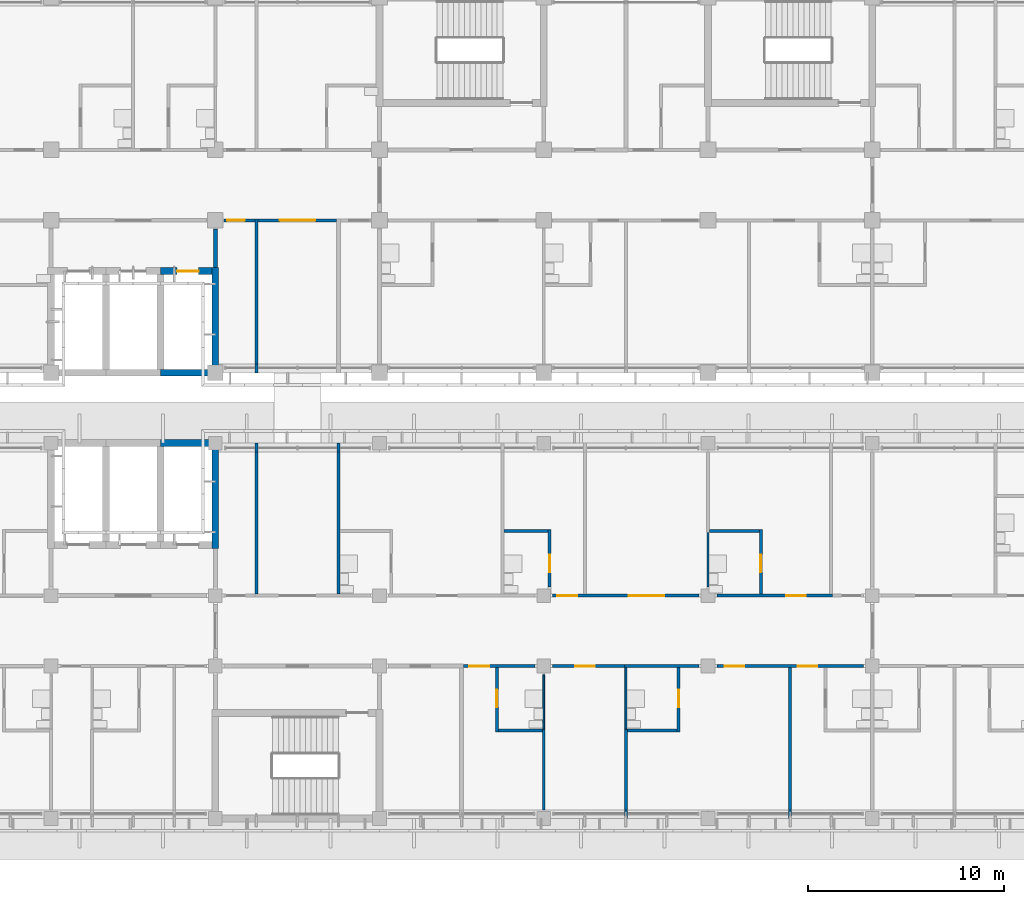
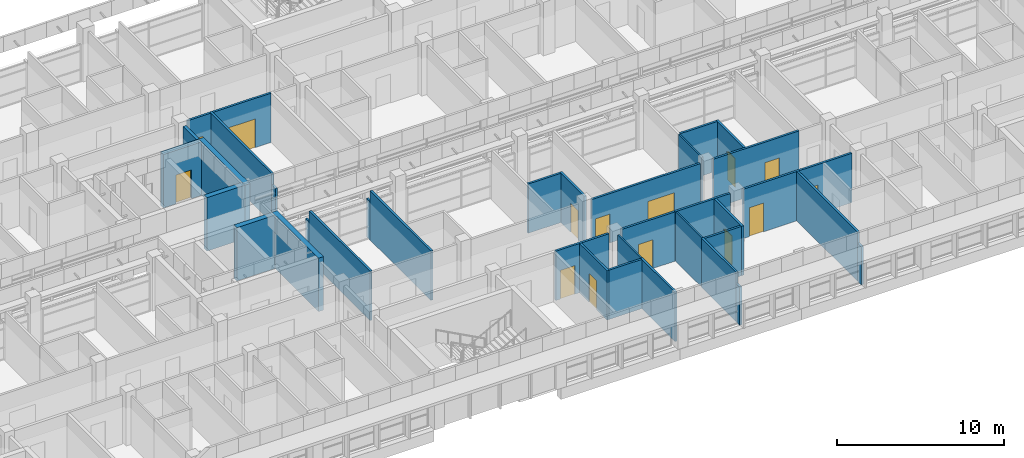
# One storey, part 30 of 71: 36 walls, 14 doors, 14 openings.
"""IFC4 building model written with IfcOpenShell, lengths in metres."""

from ifc_helpers import new_model, si_unit, direction, frame, frame_2d, origin, place, context, subcontext, project, spatial, rectangle, extrude, material, layer, layer_set, type_object, element, fill, save


model = new_model("IFC4")

# Units and contexts
model_context = context("Model", 3, precision=1e-05, world=origin(), true_north=direction((0.0, 1.0)))
body_context = subcontext(model_context, "Body", "Model", "MODEL_VIEW")
ifc_project = project(units=[si_unit("LENGTHUNIT", "METRE"), si_unit("AREAUNIT", "SQUARE_METRE"), si_unit("VOLUMEUNIT", "CUBIC_METRE"), si_unit("PLANEANGLEUNIT", "RADIAN"), si_unit("MASSUNIT", "GRAM", prefix="KILO")], contexts=[model_context])

# Site, building, storey
site_placement = place(None, origin())
site = spatial("IfcSite", under=ifc_project, at=site_placement, CompositionType="ELEMENT")
building_placement = place(site_placement, origin())
building = spatial("IfcBuilding", under=site, at=building_placement, Name="Bougainvillea Quay General Hospital", CompositionType="ELEMENT")
storey_placement = place(building_placement, frame((0.0, 0.0, 24.89990234375)))
storey = spatial("IfcBuildingStorey", under=building, at=storey_placement, Name="L05", CompositionType="ELEMENT", Elevation=24.89990234375)

# Walls
ifc_material_1 = material(Name="Gypsum board partition on steel studs", Category="steel")
ifc_layer_1 = layer(ifc_material_1, 0.10009765625)
ifc_layer_set_1 = layer_set([ifc_layer_1], Name="Gypsum board partition on steel studs")
wall_type_1 = type_object("IfcWallType", Name="Partition 100 Gypsum board partition", PredefinedType="PARTITIONING", material=ifc_layer_set_1)
wall_1_placement = place(storey_placement, frame((92.39990234375, 122.175048828125, 0.0), z_axis=(0.0, 0.0, 1.0), x_axis=(0.0, 1.0, 0.0)))
element("IfcWall", 1, at=wall_1_placement, inside=storey, type_object=wall_type_1, Name="Partition 100 mm", PredefinedType="PARTITIONING", context=body_context, shape_type="SweptSolid", body=[
    extrude(rectangle(XDim=2.77490234375, YDim=0.10009765625, at=frame_2d((1.387451171875, 0.0))), origin(), (0.0, 0.0, 1.0), 3.60009765625),
])
wall_2_placement = place(storey_placement, frame((96.60009765625, 122.175048828125, 0.0), z_axis=(0.0, 0.0, 1.0), x_axis=(0.0, 1.0, 0.0)))
element("IfcWall", 2, at=wall_2_placement, inside=storey, type_object=wall_type_1, Name="Partition 100 mm", PredefinedType="PARTITIONING", context=body_context, shape_type="SweptSolid", body=[
    extrude(rectangle(XDim=3.14990234375, YDim=0.10009765625, at=frame_2d((1.574951171875, 0.0))), origin(), (0.0, 0.0, 1.0), 3.60009765625),
])
wall_3_placement = place(storey_placement, frame((100.800048828125, 129.449951171875, 0.0), z_axis=(0.0, 0.0, 1.0), x_axis=(0.0, 1.0, 0.0)))
element("IfcWall", 3, at=wall_3_placement, inside=storey, type_object=wall_type_1, Name="Partition 100 mm", PredefinedType="PARTITIONING", context=body_context, shape_type="SweptSolid", body=[
    extrude(rectangle(XDim=2.775146484375, YDim=0.10009765625, at=frame_2d((1.3876953125, 0.0))), origin(), (0.0, 0.0, 1.0), 3.60009765625),
])
ifc_material_2 = material(Name="Gypsum board partition on steel studs, insulated", Category="steel")
ifc_layer_2 = layer(ifc_material_2, 0.14990234375)
ifc_layer_set_2 = layer_set([ifc_layer_2], Name="Gypsum board partition on steel studs, insulated")
wall_type_2 = type_object("IfcWallType", Name="Partition 150 Gypsum board partition", PredefinedType="PARTITIONING", material=ifc_layer_set_2)
wall_4_placement = place(storey_placement, frame((105.0, 117.60009765625, 0.0), z_axis=(0.0, 0.0, 1.0), x_axis=(0.0, 1.0, 0.0)))
element("IfcWall", 4, at=wall_4_placement, inside=storey, type_object=wall_type_2, Name="Partition 150 mm", PredefinedType="PARTITIONING", context=body_context, shape_type="SweptSolid", body=[
    extrude(rectangle(XDim=0.449951171875, YDim=0.14990234375, at=frame_2d((0.22509765625, 0.0))), origin(), (0.0, 0.0, 1.0), 2.780029296875),
])
wall_5_placement = place(storey_placement, frame((105.0, 118.050048828125, 0.0), z_axis=(0.0, 0.0, 1.0), x_axis=(0.0, 1.0, 0.0)))
element("IfcWall", 5, at=wall_5_placement, inside=storey, type_object=wall_type_2, Name="Partition 150 mm", PredefinedType="PARTITIONING", context=body_context, shape_type="SweptSolid", body=[
    extrude(rectangle(XDim=7.27490234375, YDim=0.14990234375, at=frame_2d((3.637451171875, 0.0))), origin(), (0.0, 0.0, 1.0), 3.60009765625),
])
wall_6_placement = place(storey_placement, frame((92.39990234375, 118.050048828125, 0.0), z_axis=(0.0, 0.0, 1.0), x_axis=(0.0, 1.0, 0.0)))
element("IfcWall", 6, at=wall_6_placement, inside=storey, type_object=wall_type_2, Name="Partition 150 mm", PredefinedType="PARTITIONING", context=body_context, shape_type="SweptSolid", body=[
    extrude(rectangle(XDim=4.125, YDim=0.14990234375, at=frame_2d((2.0625, 0.0))), origin(), (0.0, 0.0, 1.0), 3.60009765625),
])
wall_7_placement = place(storey_placement, frame((96.60009765625, 117.60009765625, 0.0), z_axis=(0.0, 0.0, 1.0), x_axis=(0.0, 1.0, 0.0)))
element("IfcWall", 7, at=wall_7_placement, inside=storey, type_object=wall_type_2, Name="Partition 150 mm", PredefinedType="PARTITIONING", context=body_context, shape_type="SweptSolid", body=[
    extrude(rectangle(XDim=0.449951171875, YDim=0.14990234375, at=frame_2d((0.22509765625, 0.0))), origin(), (0.0, 0.0, 1.0), 2.780029296875),
])
wall_8_placement = place(storey_placement, frame((96.60009765625, 118.050048828125, 0.0), z_axis=(0.0, 0.0, 1.0), x_axis=(0.0, 1.0, 0.0)))
element("IfcWall", 8, at=wall_8_placement, inside=storey, type_object=wall_type_2, Name="Partition 150 mm", PredefinedType="PARTITIONING", context=body_context, shape_type="SweptSolid", body=[
    extrude(rectangle(XDim=4.125, YDim=0.14990234375, at=frame_2d((2.0625, 0.0))), origin(), (0.0, 0.0, 1.0), 3.60009765625),
])

# Wall, opening, door
wall_9_placement = place(storey_placement, frame((90.0, 122.02490234375, 0.0), z_axis=(0.0, 0.0, 1.0), x_axis=(0.0, 1.0, 0.0)))
wall_9 = element("IfcWall", 9, at=wall_9_placement, inside=storey, type_object=wall_type_2, Name="Partition 150 mm", PredefinedType="PARTITIONING", context=body_context, shape_type="SweptSolid", body=[
    extrude(rectangle(XDim=3.300048828125, YDim=0.14990234375, at=frame_2d((1.64990234375, 0.0))), origin(), (0.0, 0.0, 1.0), 3.60009765625),
])
opening_1_placement = place(wall_9_placement, frame((1.27490234375, 0.0, 0.0)))
opening_1 = element("IfcOpeningElement", 10, at=opening_1_placement, cuts=wall_9, Name="Opening L05.106", PredefinedType="OPENING", context=body_context, shape_type="SweptSolid", body=[
    extrude(rectangle(XDim=0.89990234375, YDim=2.10009765625, at=frame_2d((0.449951171875, 1.050048828125))), frame((0.0, 0.0849609375, 0.0), z_axis=(0.0, -1.0, 0.0), x_axis=(1.0, 0.0, 0.0)), (0.0, 0.0, 1.0), 0.169921875),
])
ifc_material_3 = material(Name="Solid-core timber door leaf in steel frame", Category="steel")
door_type_1 = type_object("IfcDoorType", Name="Single leaf door 900x2100", OperationType="NOTDEFINED", PredefinedType="DOOR", material=ifc_material_3)
door_1_placement = place(opening_1_placement, frame((0.89990234375, 0.0, 0.0), z_axis=(0.0, 0.0, 1.0), x_axis=(-1.0, 0.0, 0.0)))
door_1 = element("IfcDoor", 11, at=door_1_placement, inside=storey, type_object=door_type_1, Name="DT07 L05.106", OperationType="SINGLE_SWING_LEFT", OverallHeight=2.10009765625, OverallWidth=0.89990234375, PredefinedType="DOOR", context=body_context, shape_type="SweptSolid", body=[
    extrude(rectangle(XDim=0.89990234375, YDim=2.10009765625, at=frame_2d((0.449951171875, 1.050048828125))), frame((0.0, 0.02490234375, 0.0), z_axis=(0.0, -1.0, 0.0), x_axis=(1.0, 0.0, 0.0)), (0.0, 0.0, 1.0), 0.050048828125),
])
fill(opening_1, door_1)

wall_10_placement = place(storey_placement, frame((92.699951171875, 129.449951171875, 0.0), z_axis=(0.0, 0.0, 1.0), x_axis=(0.0, 1.0, 0.0)))
wall_10 = element("IfcWall", 12, at=wall_10_placement, inside=storey, type_object=wall_type_2, Name="Partition 150 mm", PredefinedType="PARTITIONING", context=body_context, shape_type="SweptSolid", body=[
    extrude(rectangle(XDim=2.925048828125, YDim=0.14990234375, at=frame_2d((1.46240234375, 0.0))), origin(), (0.0, 0.0, 1.0), 3.60009765625),
])
opening_2_placement = place(wall_10_placement, frame((0.75, 0.0, 0.0)))
opening_2 = element("IfcOpeningElement", 13, at=opening_2_placement, cuts=wall_10, Name="Opening L05.100", PredefinedType="OPENING", context=body_context, shape_type="SweptSolid", body=[
    extrude(rectangle(XDim=0.89990234375, YDim=2.10009765625, at=frame_2d((0.449951171875, 1.050048828125))), frame((0.0, 0.0849609375, 0.0), z_axis=(0.0, -1.0, 0.0), x_axis=(1.0, 0.0, 0.0)), (0.0, 0.0, 1.0), 0.169921875),
])
door_2_placement = place(opening_2_placement, origin())
door_2 = element("IfcDoor", 14, at=door_2_placement, inside=storey, type_object=door_type_1, Name="DT07 L05.100", OperationType="SINGLE_SWING_LEFT", OverallHeight=2.10009765625, OverallWidth=0.89990234375, PredefinedType="DOOR", context=body_context, shape_type="SweptSolid", body=[
    extrude(rectangle(XDim=0.89990234375, YDim=2.10009765625, at=frame_2d((0.449951171875, 1.050048828125))), frame((0.0, 0.02490234375, 0.0), z_axis=(0.0, -1.0, 0.0), x_axis=(1.0, 0.0, 0.0)), (0.0, 0.0, 1.0), 0.050048828125),
])
fill(opening_2, door_2)

wall_11_placement = place(storey_placement, frame((99.300048828125, 122.02490234375, 0.0), z_axis=(0.0, 0.0, 1.0), x_axis=(0.0, 1.0, 0.0)))
wall_11 = element("IfcWall", 15, at=wall_11_placement, inside=storey, type_object=wall_type_2, Name="Partition 150 mm", PredefinedType="PARTITIONING", context=body_context, shape_type="SweptSolid", body=[
    extrude(rectangle(XDim=3.300048828125, YDim=0.14990234375, at=frame_2d((1.64990234375, 0.0))), origin(), (0.0, 0.0, 1.0), 3.60009765625),
])
opening_3_placement = place(wall_11_placement, frame((1.27490234375, 0.0, 0.0)))
opening_3 = element("IfcOpeningElement", 16, at=opening_3_placement, cuts=wall_11, Name="Opening L05.109", PredefinedType="OPENING", context=body_context, shape_type="SweptSolid", body=[
    extrude(rectangle(XDim=0.89990234375, YDim=2.10009765625, at=frame_2d((0.449951171875, 1.050048828125))), frame((0.0, 0.0849609375, 0.0), z_axis=(0.0, -1.0, 0.0), x_axis=(1.0, 0.0, 0.0)), (0.0, 0.0, 1.0), 0.169921875),
])
door_3_placement = place(opening_3_placement, origin())
door_3 = element("IfcDoor", 17, at=door_3_placement, inside=storey, type_object=door_type_1, Name="DT07 L05.109", OperationType="SINGLE_SWING_RIGHT", OverallHeight=2.10009765625, OverallWidth=0.89990234375, PredefinedType="DOOR", context=body_context, shape_type="SweptSolid", body=[
    extrude(rectangle(XDim=0.89990234375, YDim=2.10009765625, at=frame_2d((0.449951171875, 1.050048828125))), frame((0.0, 0.02490234375, 0.0), z_axis=(0.0, -1.0, 0.0), x_axis=(1.0, 0.0, 0.0)), (0.0, 0.0, 1.0), 0.050048828125),
])
fill(opening_3, door_3)

wall_12_placement = place(storey_placement, frame((103.5, 129.074951171875, 0.0), z_axis=(0.0, 0.0, 1.0), x_axis=(0.0, 1.0, 0.0)))
wall_12 = element("IfcWall", 18, at=wall_12_placement, inside=storey, type_object=wall_type_2, Name="Partition 150 mm", PredefinedType="PARTITIONING", context=body_context, shape_type="SweptSolid", body=[
    extrude(rectangle(XDim=3.300048828125, YDim=0.14990234375, at=frame_2d((1.64990234375, 0.0))), origin(), (0.0, 0.0, 1.0), 3.60009765625),
])
opening_4_placement = place(wall_12_placement, frame((1.125, 0.0, 0.0)))
opening_4 = element("IfcOpeningElement", 19, at=opening_4_placement, cuts=wall_12, Name="Opening L05.103", PredefinedType="OPENING", context=body_context, shape_type="SweptSolid", body=[
    extrude(rectangle(XDim=0.89990234375, YDim=2.10009765625, at=frame_2d((0.449951171875, 1.050048828125))), frame((0.0, 0.0849609375, 0.0), z_axis=(0.0, -1.0, 0.0), x_axis=(1.0, 0.0, 0.0)), (0.0, 0.0, 1.0), 0.169921875),
])
door_4_placement = place(opening_4_placement, origin())
door_4 = element("IfcDoor", 20, at=door_4_placement, inside=storey, type_object=door_type_1, Name="DT07 L05.103", OperationType="SINGLE_SWING_LEFT", OverallHeight=2.10009765625, OverallWidth=0.89990234375, PredefinedType="DOOR", context=body_context, shape_type="SweptSolid", body=[
    extrude(rectangle(XDim=0.89990234375, YDim=2.10009765625, at=frame_2d((0.449951171875, 1.050048828125))), frame((0.0, 0.02490234375, 0.0), z_axis=(0.0, -1.0, 0.0), x_axis=(1.0, 0.0, 0.0)), (0.0, 0.0, 1.0), 0.050048828125),
])
fill(opening_4, door_4)

# Walls
for number, where, z_axis, x_axis, name in (
    (21, (96.675048828125, 122.10009765625, 0.0), (0.0, 0.0, 1.0), (1.0, 0.0, 0.0), "Partition 150 mm"),
    (22, (100.875, 132.300048828125, 0.0), (0.0, 0.0, 1.0), (1.0, 0.0, 0.0), "Partition 150 mm"),
):
    element("IfcWall", number, at=place(storey_placement, frame(where, z_axis=z_axis, x_axis=x_axis)), inside=storey, type_object=wall_type_2, Name=name, PredefinedType="PARTITIONING", context=body_context, shape_type="SweptSolid", body=[
        extrude(rectangle(XDim=2.550048828125, YDim=0.14990234375, at=frame_2d((1.27490234375, 0.0))), origin(), (0.0, 0.0, 1.0), 3.60009765625),
    ])
for number, where, z_axis, x_axis, name in (
    (23, (90.074951171875, 122.10009765625, 0.0), (0.0, 0.0, 1.0), (1.0, 0.0, 0.0), "Partition 150 mm"),
    (24, (90.375, 132.300048828125, 0.0), (0.0, 0.0, 1.0), (1.0, 0.0, 0.0), "Partition 150 mm"),
):
    element("IfcWall", number, at=place(storey_placement, frame(where, z_axis=z_axis, x_axis=x_axis)), inside=storey, type_object=wall_type_2, Name=name, PredefinedType="PARTITIONING", context=body_context, shape_type="SweptSolid", body=[
        extrude(rectangle(XDim=2.25, YDim=0.14990234375, at=frame_2d((1.125, 0.0))), origin(), (0.0, 0.0, 1.0), 3.60009765625),
    ])

# Wall, opening, door
ifc_layer_3 = layer(ifc_material_2, 0.14990234375)
ifc_layer_set_3 = layer_set([ifc_layer_3], Name="Gypsum board partition on steel studs, insulated")
wall_type_3 = type_object("IfcWallType", Name="Partition 150 Gypsum board partition EI 30", PredefinedType="PARTITIONING", material=ifc_layer_set_3)
wall_13_placement = place(storey_placement, frame((107.175048828125, 129.0, 0.0), z_axis=(0.0, 0.0, 1.0), x_axis=(-1.0, 0.0, 0.0)))
wall_13 = element("IfcWall", 25, at=wall_13_placement, inside=storey, type_object=wall_type_3, Name="Partition 150 mm EI 30", PredefinedType="PARTITIONING", context=body_context, shape_type="SweptSolid", body=[
    extrude(rectangle(XDim=5.925048828125, YDim=0.14990234375, at=frame_2d((2.96240234375, 0.0))), origin(), (0.0, 0.0, 1.0), 3.60009765625),
])
opening_5_placement = place(wall_13_placement, frame((1.375, 0.0, 0.0)))
opening_5 = element("IfcOpeningElement", 26, at=opening_5_placement, cuts=wall_13, Name="Opening L05.102", PredefinedType="OPENING", context=body_context, shape_type="SweptSolid", body=[
    extrude(rectangle(XDim=1.0, YDim=2.10009765625, at=frame_2d((0.5, 1.050048828125))), frame((0.0, 0.0849609375, 0.0), z_axis=(0.0, -1.0, 0.0), x_axis=(1.0, 0.0, 0.0)), (0.0, 0.0, 1.0), 0.169921875),
])
door_type_2 = type_object("IfcDoorType", Name="Single leaf door 1000x2100 FD30S", OperationType="NOTDEFINED", PredefinedType="DOOR", material=ifc_material_3)
door_5_placement = place(opening_5_placement, frame((1.0, 0.0, 0.0), z_axis=(0.0, 0.0, 1.0), x_axis=(-1.0, 0.0, 0.0)))
door_5 = element("IfcDoor", 27, at=door_5_placement, inside=storey, type_object=door_type_2, Name="DT15 L05.102", OperationType="SINGLE_SWING_RIGHT", OverallHeight=2.10009765625, OverallWidth=1.0, PredefinedType="DOOR", context=body_context, shape_type="SweptSolid", body=[
    extrude(rectangle(XDim=1.0, YDim=2.10009765625, at=frame_2d((0.5, 1.050048828125))), frame((0.0, 0.02490234375, 0.0), z_axis=(0.0, -1.0, 0.0), x_axis=(1.0, 0.0, 0.0)), (0.0, 0.0, 1.0), 0.050048828125),
])
fill(opening_5, door_5)

# Wall, openings, doors
wall_14_placement = place(storey_placement, frame((100.35009765625, 129.0, 0.0), z_axis=(0.0, 0.0, 1.0), x_axis=(-1.0, 0.0, 0.0)))
wall_14 = element("IfcWall", 28, at=wall_14_placement, inside=storey, type_object=wall_type_3, Name="Partition 150 mm EI 30", PredefinedType="PARTITIONING", context=body_context, shape_type="SweptSolid", body=[
    extrude(rectangle(XDim=7.5, YDim=0.14990234375, at=frame_2d((3.75, 0.0))), origin(), (0.0, 0.0, 1.0), 3.60009765625),
])
opening_6_placement = place(wall_14_placement, frame((6.25, 0.0, 0.0)))
opening_6 = element("IfcOpeningElement", 29, at=opening_6_placement, cuts=wall_14, Name="Opening L05.099", PredefinedType="OPENING", context=body_context, shape_type="SweptSolid", body=[
    extrude(rectangle(XDim=1.0, YDim=2.10009765625, at=frame_2d((0.5, 1.050048828125))), frame((0.0, 0.0849609375, 0.0), z_axis=(0.0, -1.0, 0.0), x_axis=(1.0, 0.0, 0.0)), (0.0, 0.0, 1.0), 0.169921875),
])
opening_7_placement = place(wall_14_placement, frame((1.800048828125, 0.0, 0.0)))
opening_7 = element("IfcOpeningElement", 30, at=opening_7_placement, cuts=wall_14, Name="Opening L05.101", PredefinedType="OPENING", context=body_context, shape_type="SweptSolid", body=[
    extrude(rectangle(XDim=1.800048828125, YDim=2.10009765625, at=frame_2d((0.89990234375, 1.050048828125))), frame((0.0, 0.0849609375, 0.0), z_axis=(0.0, -1.0, 0.0), x_axis=(1.0, 0.0, 0.0)), (0.0, 0.0, 1.0), 0.169921875),
])
ifc_material_4 = material(Name="Solid-core timber door leaves in steel frame", Category="steel")
door_type_3 = type_object("IfcDoorType", Name="Double leaf door 1800x2100 FD30S", OperationType="DOUBLE_DOOR_SINGLE_SWING", PredefinedType="DOOR", material=ifc_material_4)
door_6_placement = place(opening_7_placement, frame((1.800048828125, 0.0, 0.0), z_axis=(0.0, 0.0, 1.0), x_axis=(-1.0, 0.0, 0.0)))
door_6 = element("IfcDoor", 31, at=door_6_placement, inside=storey, type_object=door_type_3, Name="DT17 L05.101", OperationType="DOUBLE_DOOR_SINGLE_SWING", OverallHeight=2.10009765625, OverallWidth=1.800048828125, PredefinedType="DOOR", context=body_context, shape_type="SweptSolid", body=[
    extrude(rectangle(XDim=1.800048828125, YDim=2.10009765625, at=frame_2d((0.89990234375, 1.050048828125))), frame((0.0, 0.02490234375, 0.0), z_axis=(0.0, -1.0, 0.0), x_axis=(1.0, 0.0, 0.0)), (0.0, 0.0, 1.0), 0.050048828125),
])
fill(opening_7, door_6)
door_7_placement = place(opening_6_placement, frame((1.0, 0.0, 0.0), z_axis=(0.0, 0.0, 1.0), x_axis=(-1.0, 0.0, 0.0)))
door_7 = element("IfcDoor", 32, at=door_7_placement, inside=storey, type_object=door_type_2, Name="DT15 L05.099", OperationType="SINGLE_SWING_LEFT", OverallHeight=2.10009765625, OverallWidth=1.0, PredefinedType="DOOR", context=body_context, shape_type="SweptSolid", body=[
    extrude(rectangle(XDim=1.0, YDim=2.10009765625, at=frame_2d((0.5, 1.050048828125))), frame((0.0, 0.02490234375, 0.0), z_axis=(0.0, -1.0, 0.0), x_axis=(1.0, 0.0, 0.0)), (0.0, 0.0, 1.0), 0.050048828125),
])
fill(opening_6, door_7)

wall_15_placement = place(storey_placement, frame((108.75, 125.39990234375, 0.0), z_axis=(0.0, 0.0, 1.0), x_axis=(-1.0, 0.0, 0.0)))
wall_15 = element("IfcWall", 33, at=wall_15_placement, inside=storey, type_object=wall_type_3, Name="Partition 150 mm EI 30", PredefinedType="PARTITIONING", context=body_context, shape_type="SweptSolid", body=[
    extrude(rectangle(XDim=7.5, YDim=0.14990234375, at=frame_2d((3.75, 0.0))), origin(), (0.0, 0.0, 1.0), 3.60009765625),
])
opening_8_placement = place(wall_15_placement, frame((6.10009765625, 0.0, 0.0)))
opening_8 = element("IfcOpeningElement", 34, at=opening_8_placement, cuts=wall_15, Name="Opening L05.108", PredefinedType="OPENING", context=body_context, shape_type="SweptSolid", body=[
    extrude(rectangle(XDim=1.0, YDim=2.10009765625, at=frame_2d((0.5, 1.050048828125))), frame((0.0, 0.0849609375, 0.0), z_axis=(0.0, -1.0, 0.0), x_axis=(1.0, 0.0, 0.0)), (0.0, 0.0, 1.0), 0.169921875),
])
opening_9_placement = place(wall_15_placement, frame((2.35009765625, 0.0, 0.0)))
opening_9 = element("IfcOpeningElement", 35, at=opening_9_placement, cuts=wall_15, Name="Opening L05.110", PredefinedType="OPENING", context=body_context, shape_type="SweptSolid", body=[
    extrude(rectangle(XDim=1.0, YDim=2.10009765625, at=frame_2d((0.5, 1.050048828125))), frame((0.0, 0.0849609375, 0.0), z_axis=(0.0, -1.0, 0.0), x_axis=(1.0, 0.0, 0.0)), (0.0, 0.0, 1.0), 0.169921875),
])
door_8_placement = place(opening_8_placement, origin())
door_8 = element("IfcDoor", 36, at=door_8_placement, inside=storey, type_object=door_type_2, Name="DT15 L05.108", OperationType="SINGLE_SWING_RIGHT", OverallHeight=2.10009765625, OverallWidth=1.0, PredefinedType="DOOR", context=body_context, shape_type="SweptSolid", body=[
    extrude(rectangle(XDim=1.0, YDim=2.10009765625, at=frame_2d((0.5, 1.050048828125))), frame((0.0, 0.02490234375, 0.0), z_axis=(0.0, -1.0, 0.0), x_axis=(1.0, 0.0, 0.0)), (0.0, 0.0, 1.0), 0.050048828125),
])
fill(opening_8, door_8)
door_9_placement = place(opening_9_placement, origin())
door_9 = element("IfcDoor", 37, at=door_9_placement, inside=storey, type_object=door_type_2, Name="DT15 L05.110", OperationType="SINGLE_SWING_LEFT", OverallHeight=2.10009765625, OverallWidth=1.0, PredefinedType="DOOR", context=body_context, shape_type="SweptSolid", body=[
    extrude(rectangle(XDim=1.0, YDim=2.10009765625, at=frame_2d((0.5, 1.050048828125))), frame((0.0, 0.02490234375, 0.0), z_axis=(0.0, -1.0, 0.0), x_axis=(1.0, 0.0, 0.0)), (0.0, 0.0, 1.0), 0.050048828125),
])
fill(opening_9, door_9)

# Walls
wall_16_placement = place(storey_placement, frame((100.35009765625, 125.39990234375, 0.0), z_axis=(0.0, 0.0, 1.0), x_axis=(-1.0, 0.0, 0.0)))
element("IfcWall", 38, at=wall_16_placement, inside=storey, type_object=wall_type_3, Name="Partition 150 mm EI 30", PredefinedType="PARTITIONING", context=body_context, shape_type="SweptSolid", body=[
    extrude(rectangle(XDim=3.8251953125, YDim=0.14990234375, at=frame_2d((1.91259765625, 0.0))), origin(), (0.0, 0.0, 1.0), 3.60009765625),
])
wall_17_placement = place(storey_placement, frame((77.699951171875, 129.074951171875, 0.0), z_axis=(0.0, 0.0, 1.0), x_axis=(0.0, 1.0, 0.0)))
element("IfcWall", 39, at=wall_17_placement, inside=storey, type_object=wall_type_3, Name="Partition 150 mm EI 30", PredefinedType="PARTITIONING", context=body_context, shape_type="SweptSolid", body=[
    extrude(rectangle(XDim=7.275146484375, YDim=0.14990234375, at=frame_2d((3.6376953125, 0.0))), origin(), (0.0, 0.0, 1.0), 3.60009765625),
])
wall_18_placement = place(storey_placement, frame((77.699951171875, 136.35009765625, 0.0), z_axis=(0.0, 0.0, 1.0), x_axis=(0.0, 1.0, 0.0)))
element("IfcWall", 40, at=wall_18_placement, inside=storey, type_object=wall_type_3, Name="Partition 150 mm EI 30", PredefinedType="PARTITIONING", context=body_context, shape_type="SweptSolid", body=[
    extrude(rectangle(XDim=0.449951171875, YDim=0.14990234375, at=frame_2d((0.22509765625, 0.0))), origin(), (0.0, 0.0, 1.0), 2.780029296875),
])
wall_19_placement = place(storey_placement, frame((81.89990234375, 129.074951171875, 0.0), z_axis=(0.0, 0.0, 1.0), x_axis=(0.0, 1.0, 0.0)))
element("IfcWall", 41, at=wall_19_placement, inside=storey, type_object=wall_type_3, Name="Partition 150 mm EI 30", PredefinedType="PARTITIONING", context=body_context, shape_type="SweptSolid", body=[
    extrude(rectangle(XDim=7.275146484375, YDim=0.14990234375, at=frame_2d((3.6376953125, 0.0))), origin(), (0.0, 0.0, 1.0), 3.60009765625),
])
wall_20_placement = place(storey_placement, frame((81.89990234375, 136.35009765625, 0.0), z_axis=(0.0, 0.0, 1.0), x_axis=(0.0, 1.0, 0.0)))
element("IfcWall", 42, at=wall_20_placement, inside=storey, type_object=wall_type_3, Name="Partition 150 mm EI 30", PredefinedType="PARTITIONING", context=body_context, shape_type="SweptSolid", body=[
    extrude(rectangle(XDim=0.449951171875, YDim=0.14990234375, at=frame_2d((0.22509765625, 0.0))), origin(), (0.0, 0.0, 1.0), 2.780029296875),
])
wall_21_placement = place(storey_placement, frame((77.699951171875, 140.39990234375, 0.0), z_axis=(0.0, 0.0, 1.0), x_axis=(0.0, 1.0, 0.0)))
element("IfcWall", 43, at=wall_21_placement, inside=storey, type_object=wall_type_3, Name="Partition 150 mm EI 30", PredefinedType="PARTITIONING", context=body_context, shape_type="SweptSolid", body=[
    extrude(rectangle(XDim=0.4501953125, YDim=0.14990234375, at=frame_2d((0.22509765625, 0.0))), origin(), (0.0, 0.0, 1.0), 2.780029296875),
])
wall_22_placement = place(storey_placement, frame((77.699951171875, 140.85009765625, 0.0), z_axis=(0.0, 0.0, 1.0), x_axis=(0.0, 1.0, 0.0)))
element("IfcWall", 44, at=wall_22_placement, inside=storey, type_object=wall_type_3, Name="Partition 150 mm EI 30", PredefinedType="PARTITIONING", context=body_context, shape_type="SweptSolid", body=[
    extrude(rectangle(XDim=7.4248046875, YDim=0.14990234375, at=frame_2d((3.71240234375, 0.0))), origin(), (0.0, 0.0, 1.0), 3.60009765625),
])

# Wall, opening, door
wall_23_placement = place(storey_placement, frame((77.77490234375, 148.199951171875, 0.0), z_axis=(0.0, 0.0, 1.0), x_axis=(1.0, 0.0, 0.0)))
wall_23 = element("IfcWall", 45, at=wall_23_placement, inside=storey, type_object=wall_type_3, Name="Partition 150 mm EI 30", PredefinedType="PARTITIONING", context=body_context, shape_type="SweptSolid", body=[
    extrude(rectangle(XDim=4.025146484375, YDim=0.14990234375, at=frame_2d((2.0126953125, 0.0))), origin(), (0.0, 0.0, 1.0), 3.60009765625),
])
opening_10_placement = place(wall_23_placement, frame((1.125, 0.0, 0.0)))
opening_10 = element("IfcOpeningElement", 46, at=opening_10_placement, cuts=wall_23, Name="Opening L05.067", PredefinedType="OPENING", context=body_context, shape_type="SweptSolid", body=[
    extrude(rectangle(XDim=1.800048828125, YDim=2.10009765625, at=frame_2d((0.89990234375, 1.050048828125))), frame((0.0, 0.0849609375, 0.0), z_axis=(0.0, -1.0, 0.0), x_axis=(1.0, 0.0, 0.0)), (0.0, 0.0, 1.0), 0.169921875),
])
door_10_placement = place(opening_10_placement, frame((1.800048828125, 0.0, 0.0), z_axis=(0.0, 0.0, 1.0), x_axis=(-1.0, 0.0, 0.0)))
door_10 = element("IfcDoor", 47, at=door_10_placement, inside=storey, type_object=door_type_3, Name="DT17 L05.067", OperationType="DOUBLE_DOOR_SINGLE_SWING", OverallHeight=2.10009765625, OverallWidth=1.800048828125, PredefinedType="DOOR", context=body_context, shape_type="SweptSolid", body=[
    extrude(rectangle(XDim=1.800048828125, YDim=2.10009765625, at=frame_2d((0.89990234375, 1.050048828125))), frame((0.0, 0.02490234375, 0.0), z_axis=(0.0, -1.0, 0.0), x_axis=(1.0, 0.0, 0.0)), (0.0, 0.0, 1.0), 0.050048828125),
])
fill(opening_10, door_10)

wall_24_placement = place(storey_placement, frame((88.300048828125, 125.39990234375, 0.0), z_axis=(0.0, 0.0, 1.0), x_axis=(1.0, 0.0, 0.0)))
wall_24 = element("IfcWall", 48, at=wall_24_placement, inside=storey, type_object=wall_type_3, Name="Partition 150 mm EI 30", PredefinedType="PARTITIONING", context=body_context, shape_type="SweptSolid", body=[
    extrude(rectangle(XDim=3.64990234375, YDim=0.14990234375, at=frame_2d((1.824951171875, 0.0))), origin(), (0.0, 0.0, 1.0), 3.60009765625),
])
opening_11_placement = place(wall_24_placement, frame((0.300048828125, 0.0, 0.0)))
opening_11 = element("IfcOpeningElement", 49, at=opening_11_placement, cuts=wall_24, Name="Opening L05.105", PredefinedType="OPENING", context=body_context, shape_type="SweptSolid", body=[
    extrude(rectangle(XDim=1.0, YDim=2.10009765625, at=frame_2d((0.5, 1.050048828125))), frame((0.0, 0.0849609375, 0.0), z_axis=(0.0, -1.0, 0.0), x_axis=(1.0, 0.0, 0.0)), (0.0, 0.0, 1.0), 0.169921875),
])
door_11_placement = place(opening_11_placement, frame((1.0, 0.0, 0.0), z_axis=(0.0, 0.0, 1.0), x_axis=(-1.0, 0.0, 0.0)))
door_11 = element("IfcDoor", 50, at=door_11_placement, inside=storey, type_object=door_type_2, Name="DT15 L05.105", OperationType="SINGLE_SWING_RIGHT", OverallHeight=2.10009765625, OverallWidth=1.0, PredefinedType="DOOR", context=body_context, shape_type="SweptSolid", body=[
    extrude(rectangle(XDim=1.0, YDim=2.10009765625, at=frame_2d((0.5, 1.050048828125))), frame((0.0, 0.02490234375, 0.0), z_axis=(0.0, -1.0, 0.0), x_axis=(1.0, 0.0, 0.0)), (0.0, 0.0, 1.0), 0.050048828125),
])
fill(opening_11, door_11)

ifc_layer_4 = layer(ifc_material_2, 0.14990234375)
ifc_layer_set_4 = layer_set([ifc_layer_4], Name="Gypsum board partition on steel studs, insulated")
wall_type_4 = type_object("IfcWallType", Name="Partition 150 Gypsum board partition EI 60", PredefinedType="PARTITIONING", material=ifc_layer_set_4)
wall_25_placement = place(storey_placement, frame((92.85009765625, 125.39990234375, 0.0), z_axis=(0.0, 0.0, 1.0), x_axis=(1.0, 0.0, 0.0)))
wall_25 = element("IfcWall", 51, at=wall_25_placement, inside=storey, type_object=wall_type_4, Name="Partition 150 mm EI 60", PredefinedType="PARTITIONING", context=body_context, shape_type="SweptSolid", body=[
    extrude(rectangle(XDim=3.6748046875, YDim=0.14990234375, at=frame_2d((1.83740234375, 0.0))), origin(), (0.0, 0.0, 1.0), 3.60009765625),
])
opening_12_placement = place(wall_25_placement, frame((1.14990234375, 0.0, 0.0)))
opening_12 = element("IfcOpeningElement", 52, at=opening_12_placement, cuts=wall_25, Name="Opening L05.107", PredefinedType="OPENING", context=body_context, shape_type="SweptSolid", body=[
    extrude(rectangle(XDim=1.0, YDim=2.10009765625, at=frame_2d((0.5, 1.050048828125))), frame((0.0, 0.0849609375, 0.0), z_axis=(0.0, -1.0, 0.0), x_axis=(1.0, 0.0, 0.0)), (0.0, 0.0, 1.0), 0.169921875),
])
door_type_4 = type_object("IfcDoorType", Name="Single leaf door 1000x2100 FD60", OperationType="NOTDEFINED", PredefinedType="DOOR", material=ifc_material_3)
door_12_placement = place(opening_12_placement, frame((1.0, 0.0, 0.0), z_axis=(0.0, 0.0, 1.0), x_axis=(-1.0, 0.0, 0.0)))
door_12 = element("IfcDoor", 53, at=door_12_placement, inside=storey, type_object=door_type_4, Name="DT14 L05.107", OperationType="SINGLE_SWING_RIGHT", OverallHeight=2.10009765625, OverallWidth=1.0, PredefinedType="DOOR", context=body_context, shape_type="SweptSolid", body=[
    extrude(rectangle(XDim=1.0, YDim=2.10009765625, at=frame_2d((0.5, 1.050048828125))), frame((0.0, 0.02490234375, 0.0), z_axis=(0.0, -1.0, 0.0), x_axis=(1.0, 0.0, 0.0)), (0.0, 0.0, 1.0), 0.050048828125),
])
fill(opening_12, door_12)

wall_26_placement = place(storey_placement, frame((76.050048828125, 148.199951171875, 0.0), z_axis=(0.0, 0.0, 1.0), x_axis=(1.0, 0.0, 0.0)))
wall_26 = element("IfcWall", 54, at=wall_26_placement, inside=storey, type_object=wall_type_4, Name="Partition 150 mm EI 60", PredefinedType="PARTITIONING", context=body_context, shape_type="SweptSolid", body=[
    extrude(rectangle(XDim=1.574951171875, YDim=0.14990234375, at=frame_2d((0.78759765625, 0.0))), origin(), (0.0, 0.0, 1.0), 3.60009765625),
])
opening_13_placement = place(wall_26_placement, frame((0.14990234375, 0.0, 0.0)))
opening_13 = element("IfcOpeningElement", 55, at=opening_13_placement, cuts=wall_26, Name="Opening L05.021", PredefinedType="OPENING", context=body_context, shape_type="SweptSolid", body=[
    extrude(rectangle(XDim=0.89990234375, YDim=2.10009765625, at=frame_2d((0.449951171875, 1.050048828125))), frame((0.0, 0.0849609375, 0.0), z_axis=(0.0, -1.0, 0.0), x_axis=(1.0, 0.0, 0.0)), (0.0, 0.0, 1.0), 0.169921875),
])
door_type_5 = type_object("IfcDoorType", Name="Single leaf door 900x2100 FD60", OperationType="NOTDEFINED", PredefinedType="DOOR", material=ifc_material_3)
door_13_placement = place(opening_13_placement, frame((0.89990234375, 0.0, 0.0), z_axis=(0.0, 0.0, 1.0), x_axis=(-1.0, 0.0, 0.0)))
door_13 = element("IfcDoor", 56, at=door_13_placement, inside=storey, type_object=door_type_5, Name="DT18 L05.021", OperationType="SINGLE_SWING_RIGHT", OverallHeight=2.10009765625, OverallWidth=0.89990234375, PredefinedType="DOOR", context=body_context, shape_type="SweptSolid", body=[
    extrude(rectangle(XDim=0.89990234375, YDim=2.10009765625, at=frame_2d((0.449951171875, 1.050048828125))), frame((0.0, 0.02490234375, 0.0), z_axis=(0.0, -1.0, 0.0), x_axis=(1.0, 0.0, 0.0)), (0.0, 0.0, 1.0), 0.050048828125),
])
fill(opening_13, door_13)

# Walls
ifc_material_5 = material(Name="Fire-rated autoclaved aerated block wall, plastered")
ifc_layer_5 = layer(ifc_material_5, 0.199951171875)
ifc_layer_set_5 = layer_set([ifc_layer_5], Name="Fire-rated autoclaved aerated block wall, plastered")
wall_type_5 = type_object("IfcWallType", Name="Partition 200 Fire-rated autoclaved aerated block wall EI 120", PredefinedType="SOLIDWALL", material=ifc_layer_set_5)
wall_27_placement = place(storey_placement, frame((75.60009765625, 145.77490234375, 0.0), z_axis=(0.0, 0.0, 1.0), x_axis=(0.0, 1.0, 0.0)))
element("IfcWall", 57, at=wall_27_placement, inside=storey, type_object=wall_type_5, Name="Partition 200 mm EI 120", PredefinedType="SOLIDWALL", context=body_context, shape_type="SweptSolid", body=[
    extrude(rectangle(XDim=1.97509765625, YDim=0.199951171875, at=frame_2d((0.987548828125, 0.0))), origin(), (0.0, 0.0, 1.0), 3.60009765625),
])
ifc_material_6 = material(Name="Concrete C40", Category="concrete")
ifc_layer_6 = layer(ifc_material_6, 0.35009765625)
ifc_layer_set_6 = layer_set([ifc_layer_6], Name="Concrete C40")
wall_type_6 = type_object("IfcWallType", Name="RC SHEAR WALL 350 C40", PredefinedType="SHEAR", material=ifc_layer_set_6)
for number, where, z_axis, x_axis, name in (
    (58, (72.800048828125, 136.800048828125, 0.0), (0.0, 0.0, 1.0), (1.0, 0.0, 0.0), "Shear wall L05"),
    (59, (72.800048828125, 140.39990234375, 0.0), (0.0, 0.0, 1.0), (1.0, 0.0, 0.0), "Shear wall L05"),
):
    element("IfcWall", number, at=place(storey_placement, frame(where, z_axis=z_axis, x_axis=x_axis)), inside=storey, type_object=wall_type_6, Name=name, PredefinedType="SHEAR", context=body_context, shape_type="SweptSolid", body=[
        extrude(rectangle(XDim=2.625, YDim=0.35009765625, at=frame_2d((1.3125, 0.0))), origin(), (0.0, 0.0, 1.0), 3.900146484375),
    ])

# Wall, opening, door
wall_28_placement = place(storey_placement, frame((72.800048828125, 145.60009765625, 0.0), z_axis=(0.0, 0.0, 1.0), x_axis=(1.0, 0.0, 0.0)))
wall_28 = element("IfcWall", 60, at=wall_28_placement, inside=storey, type_object=wall_type_6, Name="Shear wall L05", PredefinedType="SHEAR", context=body_context, shape_type="SweptSolid", body=[
    extrude(rectangle(XDim=2.625, YDim=0.35009765625, at=frame_2d((1.3125, 0.0))), origin(), (0.0, 0.0, 1.0), 3.900146484375),
])
opening_14_placement = place(wall_28_placement, frame((0.85009765625, 0.0, 0.0)))
opening_14 = element("IfcOpeningElement", 61, at=opening_14_placement, cuts=wall_28, Name="Opening LD-A1.3-L05", PredefinedType="OPENING", context=body_context, shape_type="SweptSolid", body=[
    extrude(rectangle(XDim=1.10009765625, YDim=2.10009765625, at=frame_2d((0.550048828125, 1.050048828125))), frame((0.0, 0.18505859375, 0.0), z_axis=(0.0, -1.0, 0.0), x_axis=(1.0, 0.0, 0.0)), (0.0, 0.0, 1.0), 0.3701171875),
])
ifc_material_7 = material(Name="Stainless steel centre-opening landing door", Category="steel")
door_type_6 = type_object("IfcDoorType", Name="Lift landing door 1100x2100 E 120", OperationType="DOUBLE_DOOR_SLIDING", PredefinedType="DOOR", material=ifc_material_7)
door_14_placement = place(opening_14_placement, origin())
door_14 = element("IfcDoor", 62, at=door_14_placement, inside=storey, type_object=door_type_6, Name="Lift landing door LB-A1-3 L05", OperationType="DOUBLE_DOOR_SLIDING", OverallHeight=2.10009765625, OverallWidth=1.10009765625, PredefinedType="DOOR", context=body_context, shape_type="SweptSolid", body=[
    extrude(rectangle(XDim=1.10009765625, YDim=2.10009765625, at=frame_2d((0.550048828125, 1.050048828125))), frame((0.0, 0.02490234375, 0.0), z_axis=(0.0, -1.0, 0.0), x_axis=(1.0, 0.0, 0.0)), (0.0, 0.0, 1.0), 0.050048828125),
])
fill(opening_14, door_14)

# Walls
wall_29_placement = place(storey_placement, frame((75.60009765625, 131.425048828125, 0.0), z_axis=(0.0, 0.0, 1.0), x_axis=(0.0, 1.0, 0.0)))
element("IfcWall", 63, at=wall_29_placement, inside=storey, type_object=wall_type_6, Name="Shear wall L05", PredefinedType="SHEAR", context=body_context, shape_type="SweptSolid", body=[
    extrude(rectangle(XDim=5.550048828125, YDim=0.35009765625, at=frame_2d((2.77490234375, 0.0))), origin(), (0.0, 0.0, 1.0), 3.900146484375),
])
wall_30_placement = place(storey_placement, frame((75.60009765625, 140.22509765625, 0.0), z_axis=(0.0, 0.0, 1.0), x_axis=(0.0, 1.0, 0.0)))
element("IfcWall", 64, at=wall_30_placement, inside=storey, type_object=wall_type_6, Name="Shear wall L05", PredefinedType="SHEAR", context=body_context, shape_type="SweptSolid", body=[
    extrude(rectangle(XDim=5.5498046875, YDim=0.35009765625, at=frame_2d((2.77490234375, 0.0))), origin(), (0.0, 0.0, 1.0), 3.900146484375),
])

save(model, "model.ifc")
